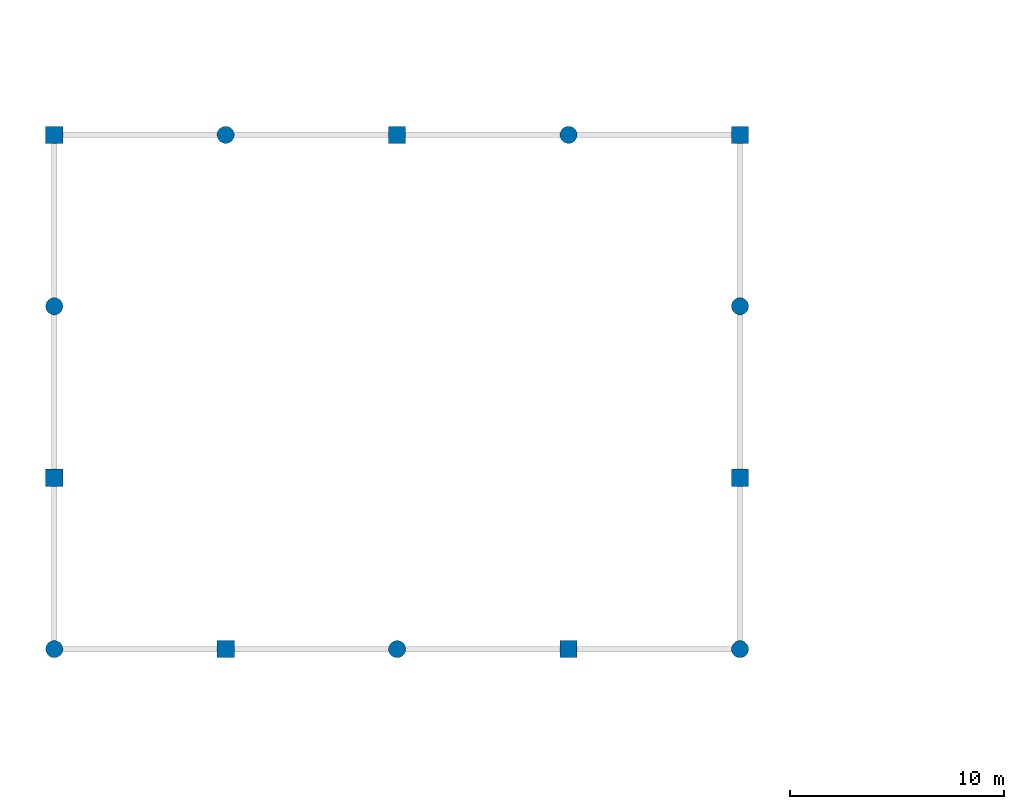
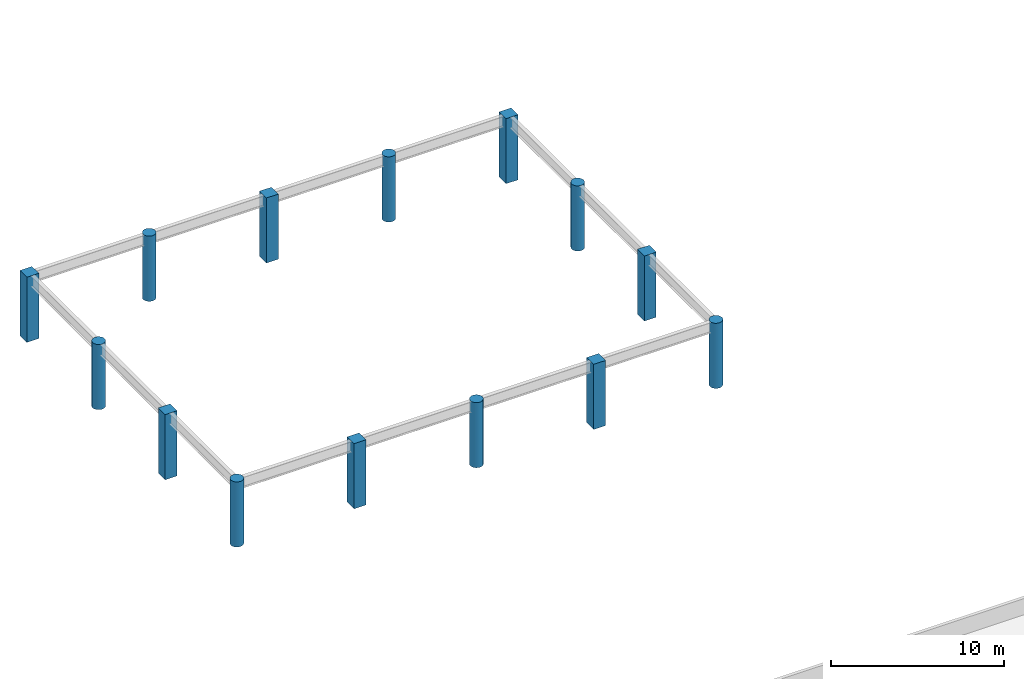
# One storey, part 1 of 16: 14 columns.
"""IFC4 building model written with IfcOpenShell, lengths in metres."""

from ifc_helpers import new_model, si_unit, direction, frame, origin, origin_2d, place, context, subcontext, project, spatial, rectangle, circle, extrude, material, material_profile, profile_set, type_object, element, save


model = new_model("IFC4")

# Units and contexts
model_context = context("Model", 3, precision=1e-05, world=origin(), true_north=direction((0.0, 1.0)))
body_context = subcontext(model_context, "Body", "Model", "MODEL_VIEW")
ifc_project = project(units=[si_unit("LENGTHUNIT", "METRE"), si_unit("AREAUNIT", "SQUARE_METRE"), si_unit("VOLUMEUNIT", "CUBIC_METRE"), si_unit("PLANEANGLEUNIT", "RADIAN"), si_unit("MASSUNIT", "GRAM", prefix="KILO")], contexts=[model_context])

# Site, building, storey
site_placement = place(None, origin())
site = spatial("IfcSite", under=ifc_project, at=site_placement, CompositionType="ELEMENT")
building_placement = place(site_placement, origin())
building = spatial("IfcBuilding", under=site, at=building_placement, Name="Solmirada Galleria", CompositionType="ELEMENT")
storey_placement = place(building_placement, frame((0.0, 0.0, 32.89990234375)))
storey = spatial("IfcBuildingStorey", under=building, at=storey_placement, Name="L07", CompositionType="ELEMENT", Elevation=32.89990234375)

# Columns
ifc_material = material(Name="Concrete C40/50", Category="concrete")
ifc_material_profile_1 = material_profile(ifc_material, circle(Radius=0.39990234375, at=origin_2d()), Name="RCCOL800")
ifc_profile_set_1 = profile_set([ifc_material_profile_1], Name="Concrete C40/50")
column_type_1 = type_object("IfcColumnType", Name="COL-CIR800", PredefinedType="COLUMN", material=ifc_profile_set_1)
for number, where, z_axis, x_axis, name in (
    (1, (80.0, 48.0, 0.0), (0.0, 0.0, 1.0), (1.0, 0.0, 0.0), "Structural column L07-0395"),
    (2, (80.0, 64.0, 0.0), (0.0, 0.0, 1.0), (1.0, 0.0, 0.0), "Structural column L07-0413"),
    (3, (88.0, 72.0, 0.0), (0.0, 0.0, 1.0), (1.0, 0.0, 0.0), "Structural column L07-0541"),
    (4, (96.0, 48.0, 0.0), (0.0, 0.0, 1.0), (1.0, 0.0, 0.0), "Structural column L07-0640"),
    (5, (104.0, 72.0, 0.0), (0.0, 0.0, 1.0), (1.0, 0.0, 0.0), "Structural column L07-0764"),
    (6, (112.0, 48.0, 0.0), (0.0, 0.0, 1.0), (1.0, 0.0, 0.0), "Structural column L07-0853"),
    (7, (112.0, 64.0, 0.0), (0.0, 0.0, 1.0), (1.0, 0.0, 0.0), "Structural column L07-0871"),
):
    element("IfcColumn", number, at=place(storey_placement, frame(where, z_axis=z_axis, x_axis=x_axis)), inside=storey, type_object=column_type_1, Name=name, PredefinedType="COLUMN", context=body_context, shape_type="SweptSolid", body=[
        extrude(circle(Radius=0.39990234375, at=origin_2d()), origin(), (0.0, 0.0, 1.0), 4.60009765625),
    ])
ifc_material_profile_2 = material_profile(ifc_material, rectangle(XDim=0.800048828125, YDim=0.800048828125, at=origin_2d()), Name="RC800X800")
ifc_profile_set_2 = profile_set([ifc_material_profile_2], Name="Concrete C40/50")
column_type_2 = type_object("IfcColumnType", Name="COL-RC800", PredefinedType="COLUMN", material=ifc_profile_set_2)
for number, where, z_axis, x_axis, name in (
    (8, (80.0, 56.0, 0.0), (0.0, 0.0, 1.0), (1.0, 0.0, 0.0), "Structural column L07-0404"),
    (9, (80.0, 72.0, 0.0), (0.0, 0.0, 1.0), (1.0, 0.0, 0.0), "Structural column L07-0422"),
    (10, (88.0, 48.0, 0.0), (0.0, 0.0, 1.0), (1.0, 0.0, 0.0), "Structural column L07-0518"),
    (11, (96.0, 72.0, 0.0), (0.0, 0.0, 1.0), (1.0, 0.0, 0.0), "Structural column L07-0649"),
    (12, (104.0, 48.0, 0.0), (0.0, 0.0, 1.0), (1.0, 0.0, 0.0), "Structural column L07-0741"),
    (13, (112.0, 56.0, 0.0), (0.0, 0.0, 1.0), (1.0, 0.0, 0.0), "Structural column L07-0862"),
    (14, (112.0, 72.0, 0.0), (0.0, 0.0, 1.0), (1.0, 0.0, 0.0), "Structural column L07-0880"),
):
    element("IfcColumn", number, at=place(storey_placement, frame(where, z_axis=z_axis, x_axis=x_axis)), inside=storey, type_object=column_type_2, Name=name, PredefinedType="COLUMN", context=body_context, shape_type="SweptSolid", body=[
        extrude(rectangle(XDim=0.800048828125, YDim=0.800048828125, at=origin_2d()), origin(), (0.0, 0.0, 1.0), 4.60009765625),
    ])

save(model, "model.ifc")
